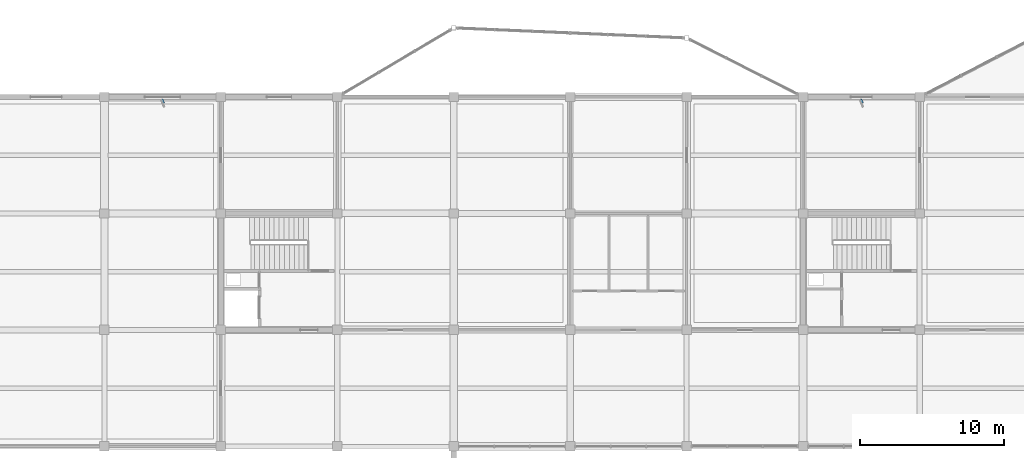
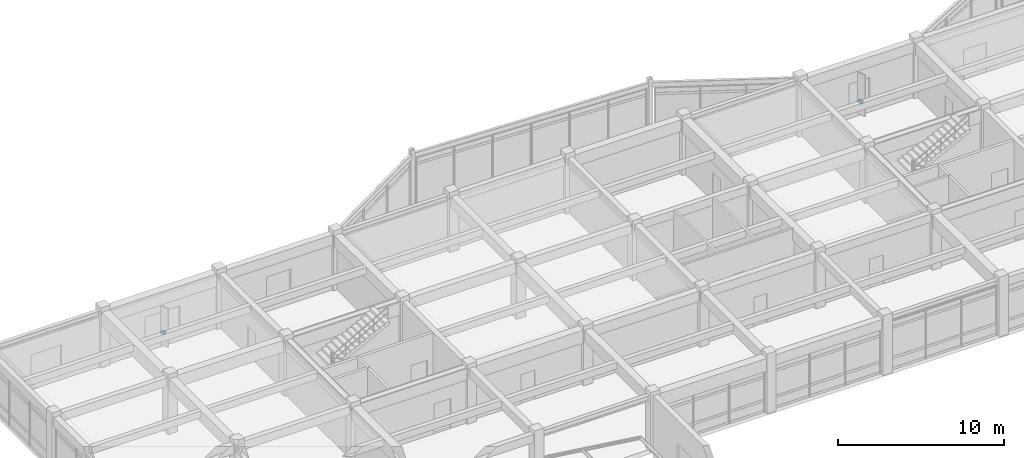
# One storey, part 80 of 89: 2 discrete accessories.
"""IFC4 building model written with IfcOpenShell, lengths in metres."""

import ifcopenshell
import ifcopenshell.guid

model = None  # the IFC model being written
_history = None  # IfcOwnerHistory: only IFC2X3 demands one
_inside = {}  # id of a spatial element -> (the spatial element, [elements in it])
_under = {}  # id of a project, library or spatial element -> (it, [spatial elements below it])
_declared = {}  # id of a project -> (the project, [libraries it declares])
_typed = {}  # id of a type object -> (the type object, [elements of that type])
_made_of = {}  # id of a material, layer set ... -> (it, [elements and type objects made of it])


def new_model(schema):
    """Start an empty IFC model of exactly this schema.

    Asked for "IFC4X3", IfcOpenShell would pick the latest addendum, in which some entities
    have other attributes; the version numbers below select the first issue.
    IFC2X3 requires an IfcOwnerHistory on every rooted entity: one is made here for all.
    """
    global model, _history
    if schema == "IFC4X3":
        model = ifcopenshell.file(schema_version=(4, 3, 0, 0))
    else:
        model = ifcopenshell.file(schema=schema)
    _inside.clear()
    _under.clear()
    _declared.clear()
    _typed.clear()
    _made_of.clear()
    _history = None
    if model.schema == "IFC2X3":
        org = make("IfcOrganization", Name="unknown")
        user = make(
            "IfcPersonAndOrganization",
            ThePerson=make("IfcPerson", FamilyName="unknown"),
            TheOrganization=org,
        )
        app = make(
            "IfcApplication",
            ApplicationDeveloper=org,
            Version="unknown",
            ApplicationFullName="unknown",
            ApplicationIdentifier="unknown",
        )
        _history = make(
            "IfcOwnerHistory",
            OwningUser=user,
            OwningApplication=app,
            ChangeAction="ADDED",
            CreationDate=0,
        )
    return model


def make(cls, **values):
    """One entity of the class cls with the attributes given. An attribute that is None is left unset."""
    return model.create_entity(
        cls, **{name: value for name, value in values.items() if value is not None}
    )


def rooted(cls, **values):
    """An entity with a GlobalId (a new one), such as an element, a storey or a relation."""
    return make(cls, GlobalId=ifcopenshell.guid.new(), OwnerHistory=_history, **values)


def si_unit(unit_type, name, prefix=None):
    """IfcSIUnit, for example si_unit("LENGTHUNIT", "METRE", prefix="MILLI")."""
    return make("IfcSIUnit", UnitType=unit_type, Prefix=prefix, Name=name)


def assignment(units):
    """IfcUnitAssignment: the units of a project."""
    return None if units is None else make("IfcUnitAssignment", Units=units)


def point(xyz):
    """IfcCartesianPoint."""
    return None if xyz is None else make("IfcCartesianPoint", Coordinates=xyz)


def direction(xyz):
    """IfcDirection."""
    return None if xyz is None else make("IfcDirection", DirectionRatios=xyz)


def frame(location, z_axis=None, x_axis=None):
    """IfcAxis2Placement3D, a coordinate frame: its origin and axes. An axis left out is left unset."""
    return make(
        "IfcAxis2Placement3D",
        Location=point(location),
        Axis=direction(z_axis),
        RefDirection=direction(x_axis),
    )


def frame_2d(location, x_axis=None):
    """IfcAxis2Placement2D, a coordinate frame in the plane: its origin and x axis."""
    return make(
        "IfcAxis2Placement2D", Location=point(location), RefDirection=direction(x_axis)
    )


def origin():
    """The frame at (0, 0, 0) with its axes left unset."""
    return frame((0.0, 0.0, 0.0))


def origin_2d():
    """The frame at (0, 0) in the plane with its x axis left unset."""
    return frame_2d((0.0, 0.0))


def place(relative_to, where):
    """IfcLocalPlacement: puts the frame where relative to a parent placement (None: the world)."""
    return make(
        "IfcLocalPlacement", PlacementRelTo=relative_to, RelativePlacement=where
    )


def context(
    kind, dimensions, precision=None, world=None, true_north=None, identifier=None
):
    """IfcGeometricRepresentationContext, for example the 3D "Model" context."""
    return make(
        "IfcGeometricRepresentationContext",
        ContextIdentifier=identifier,
        ContextType=kind,
        CoordinateSpaceDimension=dimensions,
        Precision=precision,
        WorldCoordinateSystem=world,
        TrueNorth=true_north,
    )


def subcontext(parent, identifier, kind, view, scale=None):
    """IfcGeometricRepresentationSubContext, for example "Body" below "Model"."""
    return make(
        "IfcGeometricRepresentationSubContext",
        ContextIdentifier=identifier,
        ContextType=kind,
        ParentContext=parent,
        TargetScale=scale,
        TargetView=view,
    )


def project(units=None, contexts=None):
    """IfcProject with its units and contexts."""
    return rooted(
        "IfcProject",
        Name="project",
        RepresentationContexts=contexts,
        UnitsInContext=assignment(units),
    )


def spatial(cls, under=None, at=None, **own):
    """A site, building, storey or space (cls), placed at a placement, below another one or the project."""
    s = rooted(cls, ObjectPlacement=at, **own)
    if under is not None:
        _under.setdefault(under.id(), (under, []))[1].append(s)
    return s


def profile(cls, at=None, kind="AREA", **sizes):
    """A parametric profile (cls). Its sizes go by their IFC names, for example OverallWidth=200.0."""
    return make(cls, ProfileType=kind, Position=at, **sizes)


def rectangle(**sizes):
    """IfcRectangleProfileDef."""
    return profile("IfcRectangleProfileDef", **sizes)


def extrude(swept, where, along, depth):
    """IfcExtrudedAreaSolid: the profile swept, set in the frame where, extruded along a direction by depth."""
    return make(
        "IfcExtrudedAreaSolid",
        SweptArea=swept,
        Position=where,
        ExtrudedDirection=direction(along),
        Depth=depth,
    )


def shape(context_of_items, identifier, shape_type, items):
    """IfcShapeRepresentation: the items that make up one representation, for example the "Body"."""
    return make(
        "IfcShapeRepresentation",
        ContextOfItems=context_of_items,
        RepresentationIdentifier=identifier,
        RepresentationType=shape_type,
        Items=items,
    )


def material(Name=None, Category=None):
    """IfcMaterial."""
    return make("IfcMaterial", Name=Name, Category=Category)


def made_of(thing, what):
    """Note that an element or type object is made of a material, layer set ...; save() writes the relation."""
    if what is not None:
        _made_of.setdefault(what.id(), (what, []))[1].append(thing)
    return thing


def type_object(cls, material=None, **own):
    """A type object (cls), such as IfcWallType, which elements share."""
    return made_of(rooted(cls, **own), material)


def element(
    cls,
    number,
    at=None,
    inside=None,
    cuts=None,
    type_object=None,
    material=None,
    context=None,
    identifier="Body",
    shape_type=None,
    held_by="IfcProductDefinitionShape",
    body=None,
    shapes=None,
    **own,
):
    """One element of the class cls, such as IfcWall. Its Tag is "e" and its number.

    at: its placement. inside: the storey or other place that contains it. cuts: it is an
    opening in that element (IfcRelVoidsElement). A single representation is given by context,
    identifier, shape_type and body (its items); several are given by shapes. held_by: the class
    of the entity that holds the representations. save() writes the other relations.
    """
    e = rooted(cls, Tag="e%d" % number, ObjectPlacement=at, **own)
    if body is not None:
        shapes = [shape(context, identifier, shape_type, body)]
    if shapes is not None:
        e.Representation = make(held_by, Representations=shapes)
    if inside is not None:
        _inside.setdefault(inside.id(), (inside, []))[1].append(e)
    if cuts is not None:
        rooted(
            "IfcRelVoidsElement", RelatingBuildingElement=cuts, RelatedOpeningElement=e
        )
    if type_object is not None:
        _typed.setdefault(type_object.id(), (type_object, []))[1].append(e)
    return made_of(e, material)


def aggregate(whole, parts):
    """IfcRelAggregates: a whole, such as a stair, and the parts it consists of."""
    return rooted("IfcRelAggregates", RelatingObject=whole, RelatedObjects=parts)


def save(model, path):
    """Write the relations noted so far, then the file.

    IfcRelAggregates (storeys below a building ...), IfcRelContainedInSpatialStructure (elements
    in a storey), IfcRelDefinesByType, IfcRelAssociatesMaterial and IfcRelDeclares: one each for
    every whole, place, type object, material and project.
    """
    for whole, parts in _under.values():
        aggregate(whole, parts)
    for where, things in _inside.values():
        rooted(
            "IfcRelContainedInSpatialStructure",
            RelatedElements=things,
            RelatingStructure=where,
        )
    for kind, things in _typed.values():
        rooted("IfcRelDefinesByType", RelatedObjects=things, RelatingType=kind)
    for what, things in _made_of.values():
        rooted("IfcRelAssociatesMaterial", RelatedObjects=things, RelatingMaterial=what)
    for by, libraries in _declared.values():
        rooted("IfcRelDeclares", RelatingContext=by, RelatedDefinitions=libraries)
    model.write(path)


model = new_model("IFC4")

# Units and contexts
model_context = context("Model", 3, precision=1e-05, world=origin(), true_north=direction((0.0, 1.0)))
body_context = subcontext(model_context, "Body", "Model", "MODEL_VIEW")
ifc_project = project(units=[si_unit("LENGTHUNIT", "METRE"), si_unit("AREAUNIT", "SQUARE_METRE"), si_unit("VOLUMEUNIT", "CUBIC_METRE"), si_unit("PLANEANGLEUNIT", "RADIAN"), si_unit("MASSUNIT", "GRAM", prefix="KILO")], contexts=[model_context])

# Site, building, storey
site_placement = place(None, origin())
site = spatial("IfcSite", under=ifc_project, at=site_placement, CompositionType="ELEMENT")
building_placement = place(site_placement, origin())
building = spatial("IfcBuilding", under=site, at=building_placement, Name="Vaudrelin Polytechnic", CompositionType="ELEMENT")
storey_placement = place(building_placement, frame((0.0, 0.0, 9.68994140625)))
storey = spatial("IfcBuildingStorey", under=building, at=storey_placement, Name="L02", CompositionType="ELEMENT", Elevation=9.68994140625)

# Discrete accessories
ifc_material = material(Name="Galvanised steel CSA G40.21 350W", Category="steel")
discrete_accessory_type = type_object("IfcDiscreteAccessoryType", Name="ENV-BRK-01", PredefinedType="BRACKET", material=ifc_material)
for number, where, z_axis, x_axis, name in (
    (1, (12.14990234375, 121.199951171875, 0.990234375), (0.0, 0.0, 1.0), (0.374606593416, -0.927183854567, 0.0), "Solar fin support bracket BRK-023"),
    (2, (60.75, 121.199951171875, 0.990234375), (0.0, 0.0, 1.0), (0.374606593416, -0.927183854567, 0.0), "Solar fin support bracket BRK-024"),
):
    element("IfcDiscreteAccessory", number, at=place(storey_placement, frame(where, z_axis=z_axis, x_axis=x_axis)), inside=storey, type_object=discrete_accessory_type, Name=name, PredefinedType="BRACKET", context=body_context, shape_type="SweptSolid", body=[
        extrude(rectangle(XDim=0.300048828125, YDim=0.179931640625, at=origin_2d()), origin(), (0.0, 0.0, 1.0), 0.219970703125),
    ])

save(model, "model.ifc")
